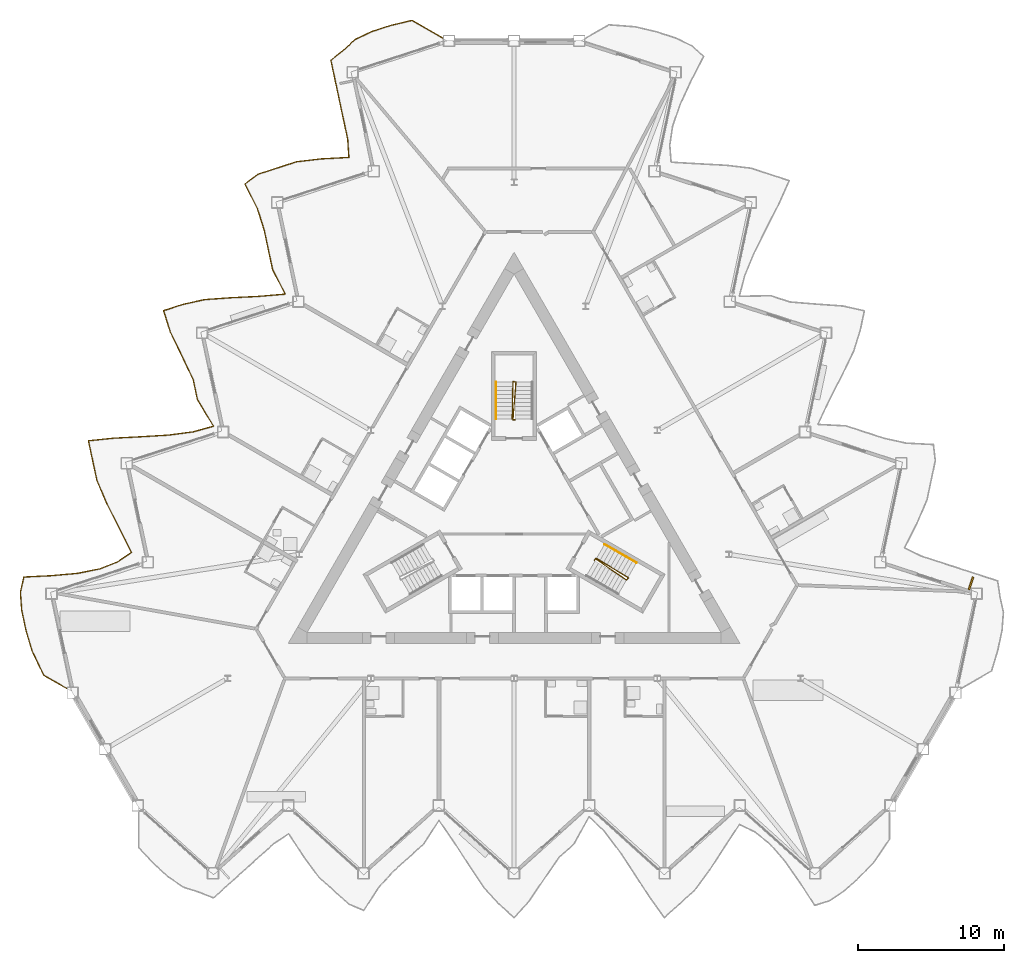
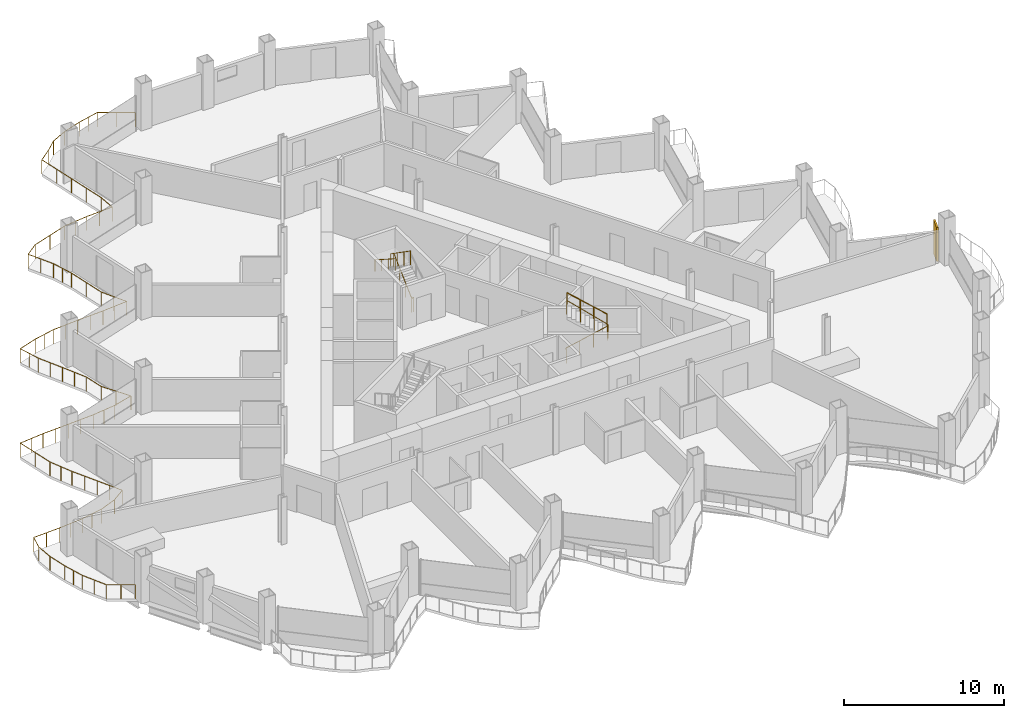
# One storey, part 20 of 23: 5 railings, 1 shading device.
"""IFC4 building model written with IfcOpenShell, lengths in metres."""

from ifc_helpers import new_model, si_unit, direction, frame, origin, origin_2d, place, context, subcontext, project, spatial, rectangle, circle, extrude, material, layer, layer_set, type_object, element, save


model = new_model("IFC4")

# Units and contexts
model_context = context("Model", 3, precision=1e-05, world=origin(), true_north=direction((0.0, 1.0)))
body_context = subcontext(model_context, "Body", "Model", "MODEL_VIEW")
ifc_project = project(units=[si_unit("LENGTHUNIT", "METRE"), si_unit("AREAUNIT", "SQUARE_METRE"), si_unit("VOLUMEUNIT", "CUBIC_METRE"), si_unit("PLANEANGLEUNIT", "RADIAN"), si_unit("MASSUNIT", "GRAM", prefix="KILO")], contexts=[model_context])

# Site, building, storey
site_placement = place(None, origin())
site = spatial("IfcSite", under=ifc_project, at=site_placement, CompositionType="ELEMENT")
building_placement = place(site_placement, origin())
building = spatial("IfcBuilding", under=site, at=building_placement, Name="Cormorant Prow Tower", CompositionType="ELEMENT")
storey_placement = place(building_placement, frame((0.0, 0.0, 208.800048828125)))
storey = spatial("IfcBuildingStorey", under=building, at=storey_placement, Name="L46", CompositionType="ELEMENT", Elevation=208.800048828125)

# Railings
ifc_material_1 = material(Name="Aluminium 6063-T6", Category="aluminium")
railing_type_1 = type_object("IfcRailingType", Name="Balcony guard 1100", PredefinedType="GUARDRAIL", material=ifc_material_1)
railing_1_placement = place(storey_placement, frame((-4.920654296875, 32.60693359375, 0.0)))
element("IfcRailing", 1, at=railing_1_placement, inside=storey, type_object=railing_type_1, Name="Balcony guard WNW", PredefinedType="GUARDRAIL", context=body_context, shape_type="SweptSolid", body=[
    extrude(circle(Radius=0.02392578125, at=origin_2d()), frame((0.0, 0.0, 1.076171875), z_axis=(-0.866028295127, 0.499994992015, 0.0), x_axis=(-0.499994992015, -0.866028295127, 0.0)), (0.0, 0.0, 1.0), 2.40380859375),
    extrude(circle(Radius=0.02392578125, at=origin_2d()), frame((-2.081787109375, 1.201904296875, 1.076171875), z_axis=(-0.973212361163, -0.22990802526, 0.0), x_axis=(0.22990802526, -0.973212361163, 0.0)), (0.0, 0.0, 1.0), 1.503662109375),
    extrude(circle(Radius=0.02392578125, at=origin_2d()), frame((-3.545166015625, 0.856201171875, 1.076171875), z_axis=(-0.951066390921, -0.30898660175, 0.0), x_axis=(0.30898660175, -0.951066390921, 0.0)), (0.0, 0.0, 1.0), 1.387451171875),
    extrude(circle(Radius=0.02392578125, at=origin_2d()), frame((-4.86474609375, 0.427490234375, 1.076171875), z_axis=(-0.901278850403, -0.433239464749, 0.0), x_axis=(0.433239464749, -0.901278850403, 0.0)), (0.0, 0.0, 1.0), 1.248779296875),
    extrude(circle(Radius=0.02392578125, at=origin_2d()), frame((-5.990234375, -0.113525390625, 1.076171875), z_axis=(-0.735764349917, -0.677237640265, 0.0), x_axis=(0.677237640265, -0.735764349917, 0.0)), (0.0, 0.0, 1.0), 1.080322265625),
    extrude(circle(Radius=0.02392578125, at=origin_2d()), frame((-6.78515625, -0.84521484375, 1.076171875), z_axis=(-0.78395206993, -0.620821352767, 0.0), x_axis=(0.620821352767, -0.78395206993, 0.0)), (0.0, 0.0, 1.0), 1.10888671875),
    extrude(circle(Radius=0.02392578125, at=origin_2d()), frame((-7.654541015625, -1.53369140625, 1.076171875), z_axis=(0.20797870558, -0.978133353907, 0.0), x_axis=(0.978133353907, 0.20797870558, 0.0)), (0.0, 0.0, 1.0), 1.387451171875),
    extrude(circle(Radius=0.02392578125, at=origin_2d()), frame((-7.365966796875, -2.890869140625, 1.076171875), z_axis=(0.207810352384, -0.978169135396, 0.0), x_axis=(0.978169135396, 0.207810352384, 0.0)), (0.0, 0.0, 1.0), 1.387451171875),
    extrude(circle(Radius=0.02392578125, at=origin_2d()), frame((-7.07763671875, -4.248046875, 1.076171875), z_axis=(0.20797870558, -0.978133353907, 0.0), x_axis=(0.978133353907, 0.20797870558, 0.0)), (0.0, 0.0, 1.0), 1.387451171875),
    extrude(circle(Radius=0.02392578125, at=origin_2d()), frame((-6.7890625, -5.605224609375, 1.076171875), z_axis=(0.207774590091, -0.978176732351, 0.0), x_axis=(0.978176732351, 0.207774590091, 0.0)), (0.0, 0.0, 1.0), 1.3876953125),
    extrude(circle(Radius=0.02392578125, at=origin_2d()), frame((-6.500732421875, -6.962646484375, 1.076171875), z_axis=(0.065931182992, -0.997824172442, 0.0), x_axis=(0.997824172442, 0.065931182992, 0.0)), (0.0, 0.0, 1.0), 1.240478515625),
    extrude(circle(Radius=0.02392578125, at=origin_2d()), frame((-6.4189453125, -8.200439453125, 1.076171875), z_axis=(-0.998583367735, -0.053209563827, 0.0), x_axis=(0.053209563827, -0.998583367735, 0.0)), (0.0, 0.0, 1.0), 1.890380859375),
    extrude(circle(Radius=0.02392578125, at=origin_2d()), frame((-8.306640625, -8.301025390625, 1.076171875), z_axis=(-0.99316508234, -0.116718118651, 0.0), x_axis=(0.116718118651, -0.99316508234, 0.0)), (0.0, 0.0, 1.0), 1.7255859375),
    extrude(circle(Radius=0.02392578125, at=origin_2d()), frame((-10.0205078125, -8.50244140625, 1.076171875), z_axis=(-0.951066390921, -0.30898660175, 0.0), x_axis=(0.30898660175, -0.951066390921, 0.0)), (0.0, 0.0, 1.0), 1.387451171875),
    extrude(circle(Radius=0.02392578125, at=origin_2d()), frame((-11.340087890625, -8.93115234375, 1.076171875), z_axis=(-0.951066390921, -0.30898660175, 0.0), x_axis=(0.30898660175, -0.951066390921, 0.0)), (0.0, 0.0, 1.0), 1.387451171875),
    extrude(circle(Radius=0.02392578125, at=origin_2d()), frame((-12.65966796875, -9.35986328125, 1.076171875), z_axis=(-0.799947741262, -0.600069671997, 0.0), x_axis=(0.600069671997, -0.799947741262, 0.0)), (0.0, 0.0, 1.0), 1.121337890625),
    extrude(circle(Radius=0.02392578125, at=origin_2d()), frame((-13.556640625, -10.03271484375, 1.076171875), z_axis=(0.454161365622, -0.890919443034, 0.0), x_axis=(0.890919443034, 0.454161365622, 0.0)), (0.0, 0.0, 1.0), 1.893798828125),
    extrude(circle(Radius=0.02392578125, at=origin_2d()), frame((-12.696533203125, -11.719970703125, 1.076171875), z_axis=(0.302887469751, -0.953026327374, 0.0), x_axis=(0.953026327374, 0.302887469751, 0.0)), (0.0, 0.0, 1.0), 1.52978515625),
    extrude(circle(Radius=0.02392578125, at=origin_2d()), frame((-12.233154296875, -13.177978515625, 1.076171875), z_axis=(0.207810352384, -0.978169135396, 0.0), x_axis=(0.978169135396, 0.207810352384, 0.0)), (0.0, 0.0, 1.0), 1.387451171875),
    extrude(circle(Radius=0.02392578125, at=origin_2d()), frame((-11.94482421875, -14.53515625, 1.076171875), z_axis=(0.20797870558, -0.978133353907, 0.0), x_axis=(0.978133353907, 0.20797870558, 0.0)), (0.0, 0.0, 1.0), 1.387451171875),
    extrude(circle(Radius=0.02392578125, at=origin_2d()), frame((-11.65625, -15.892333984375, 1.076171875), z_axis=(0.455679598883, -0.890143866553, 0.0), x_axis=(0.890143866553, 0.455679598883, 0.0)), (0.0, 0.0, 1.0), 1.898681640625),
    extrude(circle(Radius=0.02392578125, at=origin_2d()), frame((-10.791015625, -17.58251953125, 1.076171875), z_axis=(-0.996378508265, -0.085028632041, 0.0), x_axis=(0.085028632041, -0.996378508265, 0.0)), (0.0, 0.0, 1.0), 1.80322265625),
    extrude(circle(Radius=0.02392578125, at=origin_2d()), frame((-12.587646484375, -17.73583984375, 1.076171875), z_axis=(-0.998798607973, -0.049003476528, 0.0), x_axis=(0.049003476528, -0.998798607973, 0.0)), (0.0, 0.0, 1.0), 1.903076171875),
    extrude(circle(Radius=0.02392578125, at=origin_2d()), frame((-14.488525390625, -17.8291015625, 1.076171875), z_axis=(-0.997499591032, -0.070672242725, 0.0), x_axis=(0.070672242725, -0.997499591032, 0.0)), (0.0, 0.0, 1.0), 1.84130859375),
    extrude(circle(Radius=0.02392578125, at=origin_2d()), frame((-16.3251953125, -17.959228515625, 1.076171875), z_axis=(-0.976303584694, -0.21640543088, 0.0), x_axis=(0.21640543088, -0.976303584694, 0.0)), (0.0, 0.0, 1.0), 1.5263671875),
    extrude(circle(Radius=0.02392578125, at=origin_2d()), frame((-17.8154296875, -18.28955078125, 1.076171875), z_axis=(-0.951014671478, -0.309145749822, 0.0), x_axis=(0.309145749822, -0.951014671478, 0.0)), (0.0, 0.0, 1.0), 1.387451171875),
    extrude(circle(Radius=0.02392578125, at=origin_2d()), frame((-19.135009765625, -18.718505859375, 1.076171875), z_axis=(0.298959471518, -0.954265809086, 0.0), x_axis=(0.954265809086, 0.298959471518, 0.0)), (0.0, 0.0, 1.0), 1.52294921875),
    extrude(circle(Radius=0.02392578125, at=origin_2d()), frame((-18.6796875, -20.171875, 1.076171875), z_axis=(0.437155444794, -0.899385966694, 0.0), x_axis=(0.899385966694, 0.437155444794, 0.0)), (0.0, 0.0, 1.0), 1.840087890625),
    extrude(circle(Radius=0.02392578125, at=origin_2d()), frame((-17.875244140625, -21.826904296875, 1.076171875), z_axis=(0.427599829351, -0.903968133254, 0.0), x_axis=(0.903968133254, 0.427599829351, 0.0)), (0.0, 0.0, 1.0), 1.812255859375),
    extrude(circle(Radius=0.02392578125, at=origin_2d()), frame((-17.100341796875, -23.465087890625, 1.076171875), z_axis=(0.207810352384, -0.978169135396, 0.0), x_axis=(0.978169135396, 0.207810352384, 0.0)), (0.0, 0.0, 1.0), 1.387451171875),
    extrude(circle(Radius=0.02392578125, at=origin_2d()), frame((-16.81201171875, -24.822265625, 1.076171875), z_axis=(0.515994404048, -0.856591953611, 0.0), x_axis=(0.856591953611, 0.515994404048, 0.0)), (0.0, 0.0, 1.0), 2.131103515625),
    extrude(circle(Radius=0.02392578125, at=origin_2d()), frame((-15.71240234375, -26.647705078125, 1.076171875), z_axis=(-0.963525170762, -0.267617722337, 0.0), x_axis=(0.267617722337, -0.963525170762, 0.0)), (0.0, 0.0, 1.0), 1.445068359375),
    extrude(circle(Radius=0.02392578125, at=origin_2d()), frame((-17.104736328125, -27.034423828125, 1.076171875), z_axis=(-0.99157148813, -0.129560734512, 0.0), x_axis=(0.129560734512, -0.99157148813, 0.0)), (0.0, 0.0, 1.0), 1.696044921875),
    extrude(circle(Radius=0.02392578125, at=origin_2d()), frame((-18.786376953125, -27.254150390625, 1.076171875), z_axis=(-0.998153888564, -0.060735613476, 0.0), x_axis=(0.060735613476, -0.998153888564, 0.0)), (0.0, 0.0, 1.0), 1.869140625),
    extrude(circle(Radius=0.02392578125, at=origin_2d()), frame((-20.652099609375, -27.36767578125, 1.076171875), z_axis=(-0.998650388132, -0.05193652167, 0.0), x_axis=(0.05193652167, -0.998650388132, 0.0)), (0.0, 0.0, 1.0), 1.894287109375),
    extrude(circle(Radius=0.02392578125, at=origin_2d()), frame((-22.5439453125, -27.466064453125, 1.076171875), z_axis=(-0.994607061007, -0.103714966104, 0.0), x_axis=(0.103714966104, -0.994607061007, 0.0)), (0.0, 0.0, 1.0), 1.756103515625),
    extrude(circle(Radius=0.02392578125, at=origin_2d()), frame((-24.29052734375, -27.648193359375, 1.076171875), z_axis=(0.207810352384, -0.978169135396, 0.0), x_axis=(0.978169135396, 0.207810352384, 0.0)), (0.0, 0.0, 1.0), 1.387451171875),
    extrude(circle(Radius=0.02392578125, at=origin_2d()), frame((-24.002197265625, -29.00537109375, 1.076171875), z_axis=(0.20797870558, -0.978133353907, 0.0), x_axis=(0.978133353907, 0.20797870558, 0.0)), (0.0, 0.0, 1.0), 1.387451171875),
    extrude(circle(Radius=0.02392578125, at=origin_2d()), frame((-23.713623046875, -30.362548828125, 1.076171875), z_axis=(0.394090441946, -0.919071663999, 0.0), x_axis=(0.919071663999, 0.394090441946, 0.0)), (0.0, 0.0, 1.0), 1.7216796875),
    extrude(circle(Radius=0.02392578125, at=origin_2d()), frame((-23.03515625, -31.94482421875, 1.076171875), z_axis=(0.452888275113, -0.891567277476, 0.0), x_axis=(0.891567277476, 0.452888275113, 0.0)), (0.0, 0.0, 1.0), 1.889892578125),
    extrude(circle(Radius=0.02392578125, at=origin_2d()), frame((-22.17919921875, -33.6298828125, 1.076171875), z_axis=(0.448774320801, -0.89364512475, 0.0), x_axis=(0.89364512475, 0.448774320801, 0.0)), (0.0, 0.0, 1.0), 1.876220703125),
    extrude(circle(Radius=0.02392578125, at=origin_2d()), frame((-21.337158203125, -35.306640625, 1.076171875), z_axis=(-0.82356752701, -0.567218237061, 0.0), x_axis=(0.567218237061, -0.82356752701, 0.0)), (0.0, 0.0, 1.0), 1.141845703125),
    extrude(circle(Radius=0.02392578125, at=origin_2d()), frame((-22.277587890625, -35.954345703125, 1.076171875), z_axis=(-0.930003475376, -0.367550725463, 0.0), x_axis=(0.367550725463, -0.930003475376, 0.0)), (0.0, 0.0, 1.0), 1.31640625),
    extrude(circle(Radius=0.02392578125, at=origin_2d()), frame((-23.501953125, -36.438232421875, 1.076171875), z_axis=(-0.981004194087, -0.193986523199, 0.0), x_axis=(0.193986523199, -0.981004194087, 0.0)), (0.0, 0.0, 1.0), 1.565673828125),
    extrude(circle(Radius=0.02392578125, at=origin_2d()), frame((-25.037841796875, -36.741943359375, 1.076171875), z_axis=(-0.996011807592, -0.089221517228, 0.0), x_axis=(0.089221517228, -0.996011807592, 0.0)), (0.0, 0.0, 1.0), 1.792236328125),
    extrude(circle(Radius=0.02392578125, at=origin_2d()), frame((-26.822998046875, -36.90185546875, 1.076171875), z_axis=(-0.998771473491, -0.049553443286, 0.0), x_axis=(0.049553443286, -0.998771473491, 0.0)), (0.0, 0.0, 1.0), 1.90185546875),
    extrude(circle(Radius=0.02392578125, at=origin_2d()), frame((-28.722412109375, -36.99609375, 1.076171875), z_axis=(-0.219754277814, -0.975555255935, 0.0), x_axis=(0.975555255935, -0.219754277814, 0.0)), (0.0, 0.0, 1.0), 1.079833984375),
    extrude(circle(Radius=0.02392578125, at=origin_2d()), frame((-28.959716796875, -38.049560546875, 1.076171875), z_axis=(0.072680965333, -0.997355241265, 0.0), x_axis=(0.997355241265, 0.072680965333, 0.0)), (0.0, 0.0, 1.0), 1.246337890625),
    extrude(circle(Radius=0.02392578125, at=origin_2d()), frame((-28.869140625, -39.29248046875, 1.076171875), z_axis=(0.207810352384, -0.978169135396, 0.0), x_axis=(0.978169135396, 0.207810352384, 0.0)), (0.0, 0.0, 1.0), 1.387451171875),
    extrude(circle(Radius=0.02392578125, at=origin_2d()), frame((-28.580810546875, -40.649658203125, 1.076171875), z_axis=(0.285810363101, -0.958286197513, 0.0), x_axis=(0.958286197513, 0.285810363101, 0.0)), (0.0, 0.0, 1.0), 1.500732421875),
    extrude(circle(Radius=0.02392578125, at=origin_2d()), frame((-28.15185546875, -42.087890625, 1.076171875), z_axis=(0.434044135852, -0.900891607316, 0.0), x_axis=(0.900891607316, 0.434044135852, 0.0)), (0.0, 0.0, 1.0), 1.830810546875),
    extrude(circle(Radius=0.02392578125, at=origin_2d()), frame((-27.357177734375, -43.7373046875, 1.076171875), z_axis=(0.866042886279, -0.499969718208, 0.0), x_axis=(0.499969718208, 0.866042886279, 0.0)), (0.0, 0.0, 1.0), 1.8232421875),
    extrude(circle(Radius=0.02099609375, at=origin_2d()), origin(), (0.0, 0.0, 1.0), 1.052001953125),
    extrude(circle(Radius=0.02099609375, at=origin_2d()), frame((-1.041015625, 0.60107421875, 0.0)), (0.0, 0.0, 1.0), 1.052001953125),
    extrude(circle(Radius=0.02099609375, at=origin_2d()), frame((-2.081787109375, 1.201904296875, 0.0)), (0.0, 0.0, 1.0), 1.052001953125),
    extrude(circle(Radius=0.02099609375, at=origin_2d()), frame((-2.8134765625, 1.029052734375, 0.0)), (0.0, 0.0, 1.0), 1.052001953125),
    extrude(circle(Radius=0.02099609375, at=origin_2d()), frame((-3.545166015625, 0.856201171875, 0.0)), (0.0, 0.0, 1.0), 1.052001953125),
    extrude(circle(Radius=0.02099609375, at=origin_2d()), frame((-4.86474609375, 0.427490234375, 0.0)), (0.0, 0.0, 1.0), 1.052001953125),
    extrude(circle(Radius=0.02099609375, at=origin_2d()), frame((-5.990234375, -0.113525390625, 0.0)), (0.0, 0.0, 1.0), 1.052001953125),
    extrude(circle(Radius=0.02099609375, at=origin_2d()), frame((-6.78515625, -0.84521484375, 0.0)), (0.0, 0.0, 1.0), 1.052001953125),
    extrude(circle(Radius=0.02099609375, at=origin_2d()), frame((-7.654541015625, -1.53369140625, 0.0)), (0.0, 0.0, 1.0), 1.052001953125),
    extrude(circle(Radius=0.02099609375, at=origin_2d()), frame((-7.365966796875, -2.890869140625, 0.0)), (0.0, 0.0, 1.0), 1.052001953125),
    extrude(circle(Radius=0.02099609375, at=origin_2d()), frame((-7.07763671875, -4.248046875, 0.0)), (0.0, 0.0, 1.0), 1.052001953125),
    extrude(circle(Radius=0.02099609375, at=origin_2d()), frame((-6.7890625, -5.605224609375, 0.0)), (0.0, 0.0, 1.0), 1.052001953125),
    extrude(circle(Radius=0.02099609375, at=origin_2d()), frame((-6.500732421875, -6.962646484375, 0.0)), (0.0, 0.0, 1.0), 1.052001953125),
    extrude(circle(Radius=0.02099609375, at=origin_2d()), frame((-6.4189453125, -8.200439453125, 0.0)), (0.0, 0.0, 1.0), 1.052001953125),
    extrude(circle(Radius=0.02099609375, at=origin_2d()), frame((-7.36279296875, -8.250732421875, 0.0)), (0.0, 0.0, 1.0), 1.052001953125),
    extrude(circle(Radius=0.02099609375, at=origin_2d()), frame((-8.306640625, -8.301025390625, 0.0)), (0.0, 0.0, 1.0), 1.052001953125),
    extrude(circle(Radius=0.02099609375, at=origin_2d()), frame((-9.16357421875, -8.40185546875, 0.0)), (0.0, 0.0, 1.0), 1.052001953125),
    extrude(circle(Radius=0.02099609375, at=origin_2d()), frame((-10.0205078125, -8.50244140625, 0.0)), (0.0, 0.0, 1.0), 1.052001953125),
    extrude(circle(Radius=0.02099609375, at=origin_2d()), frame((-11.340087890625, -8.93115234375, 0.0)), (0.0, 0.0, 1.0), 1.052001953125),
    extrude(circle(Radius=0.02099609375, at=origin_2d()), frame((-12.65966796875, -9.35986328125, 0.0)), (0.0, 0.0, 1.0), 1.052001953125),
    extrude(circle(Radius=0.02099609375, at=origin_2d()), frame((-13.556640625, -10.03271484375, 0.0)), (0.0, 0.0, 1.0), 1.052001953125),
    extrude(circle(Radius=0.02099609375, at=origin_2d()), frame((-13.12646484375, -10.87646484375, 0.0)), (0.0, 0.0, 1.0), 1.052001953125),
    extrude(circle(Radius=0.02099609375, at=origin_2d()), frame((-12.696533203125, -11.719970703125, 0.0)), (0.0, 0.0, 1.0), 1.052001953125),
    extrude(circle(Radius=0.02099609375, at=origin_2d()), frame((-12.46484375, -12.448974609375, 0.0)), (0.0, 0.0, 1.0), 1.052001953125),
    extrude(circle(Radius=0.02099609375, at=origin_2d()), frame((-12.233154296875, -13.177978515625, 0.0)), (0.0, 0.0, 1.0), 1.052001953125),
    extrude(circle(Radius=0.02099609375, at=origin_2d()), frame((-11.94482421875, -14.53515625, 0.0)), (0.0, 0.0, 1.0), 1.052001953125),
    extrude(circle(Radius=0.02099609375, at=origin_2d()), frame((-11.65625, -15.892333984375, 0.0)), (0.0, 0.0, 1.0), 1.052001953125),
    extrude(circle(Radius=0.02099609375, at=origin_2d()), frame((-11.2236328125, -16.7373046875, 0.0)), (0.0, 0.0, 1.0), 1.052001953125),
    extrude(circle(Radius=0.02099609375, at=origin_2d()), frame((-10.791015625, -17.58251953125, 0.0)), (0.0, 0.0, 1.0), 1.052001953125),
    extrude(circle(Radius=0.02099609375, at=origin_2d()), frame((-11.689453125, -17.6591796875, 0.0)), (0.0, 0.0, 1.0), 1.052001953125),
    extrude(circle(Radius=0.02099609375, at=origin_2d()), frame((-12.587646484375, -17.73583984375, 0.0)), (0.0, 0.0, 1.0), 1.052001953125),
    extrude(circle(Radius=0.02099609375, at=origin_2d()), frame((-13.5380859375, -17.782470703125, 0.0)), (0.0, 0.0, 1.0), 1.052001953125),
    extrude(circle(Radius=0.02099609375, at=origin_2d()), frame((-14.488525390625, -17.8291015625, 0.0)), (0.0, 0.0, 1.0), 1.052001953125),
    extrude(circle(Radius=0.02099609375, at=origin_2d()), frame((-15.40673828125, -17.89404296875, 0.0)), (0.0, 0.0, 1.0), 1.052001953125),
    extrude(circle(Radius=0.02099609375, at=origin_2d()), frame((-16.3251953125, -17.959228515625, 0.0)), (0.0, 0.0, 1.0), 1.052001953125),
    extrude(circle(Radius=0.02099609375, at=origin_2d()), frame((-17.0703125, -18.12451171875, 0.0)), (0.0, 0.0, 1.0), 1.052001953125),
    extrude(circle(Radius=0.02099609375, at=origin_2d()), frame((-17.8154296875, -18.28955078125, 0.0)), (0.0, 0.0, 1.0), 1.052001953125),
    extrude(circle(Radius=0.02099609375, at=origin_2d()), frame((-19.135009765625, -18.718505859375, 0.0)), (0.0, 0.0, 1.0), 1.052001953125),
    extrude(circle(Radius=0.02099609375, at=origin_2d()), frame((-18.9072265625, -19.4453125, 0.0)), (0.0, 0.0, 1.0), 1.052001953125),
    extrude(circle(Radius=0.02099609375, at=origin_2d()), frame((-18.6796875, -20.171875, 0.0)), (0.0, 0.0, 1.0), 1.052001953125),
    extrude(circle(Radius=0.02099609375, at=origin_2d()), frame((-18.27734375, -20.99951171875, 0.0)), (0.0, 0.0, 1.0), 1.052001953125),
    extrude(circle(Radius=0.02099609375, at=origin_2d()), frame((-17.875244140625, -21.826904296875, 0.0)), (0.0, 0.0, 1.0), 1.052001953125),
    extrude(circle(Radius=0.02099609375, at=origin_2d()), frame((-17.48779296875, -22.64599609375, 0.0)), (0.0, 0.0, 1.0), 1.052001953125),
    extrude(circle(Radius=0.02099609375, at=origin_2d()), frame((-17.100341796875, -23.465087890625, 0.0)), (0.0, 0.0, 1.0), 1.052001953125),
    extrude(circle(Radius=0.02099609375, at=origin_2d()), frame((-16.81201171875, -24.822265625, 0.0)), (0.0, 0.0, 1.0), 1.052001953125),
    extrude(circle(Radius=0.02099609375, at=origin_2d()), frame((-16.26220703125, -25.73486328125, 0.0)), (0.0, 0.0, 1.0), 1.052001953125),
    extrude(circle(Radius=0.02099609375, at=origin_2d()), frame((-15.71240234375, -26.647705078125, 0.0)), (0.0, 0.0, 1.0), 1.052001953125),
    extrude(circle(Radius=0.02099609375, at=origin_2d()), frame((-17.104736328125, -27.034423828125, 0.0)), (0.0, 0.0, 1.0), 1.052001953125),
    extrude(circle(Radius=0.02099609375, at=origin_2d()), frame((-17.945556640625, -27.144287109375, 0.0)), (0.0, 0.0, 1.0), 1.052001953125),
    extrude(circle(Radius=0.02099609375, at=origin_2d()), frame((-18.786376953125, -27.254150390625, 0.0)), (0.0, 0.0, 1.0), 1.052001953125),
    extrude(circle(Radius=0.02099609375, at=origin_2d()), frame((-19.71923828125, -27.31103515625, 0.0)), (0.0, 0.0, 1.0), 1.052001953125),
    extrude(circle(Radius=0.02099609375, at=origin_2d()), frame((-20.652099609375, -27.36767578125, 0.0)), (0.0, 0.0, 1.0), 1.052001953125),
    extrude(circle(Radius=0.02099609375, at=origin_2d()), frame((-21.59814453125, -27.4169921875, 0.0)), (0.0, 0.0, 1.0), 1.052001953125),
    extrude(circle(Radius=0.02099609375, at=origin_2d()), frame((-22.5439453125, -27.466064453125, 0.0)), (0.0, 0.0, 1.0), 1.052001953125),
    extrude(circle(Radius=0.02099609375, at=origin_2d()), frame((-23.417236328125, -27.55712890625, 0.0)), (0.0, 0.0, 1.0), 1.052001953125),
    extrude(circle(Radius=0.02099609375, at=origin_2d()), frame((-24.29052734375, -27.648193359375, 0.0)), (0.0, 0.0, 1.0), 1.052001953125),
    extrude(circle(Radius=0.02099609375, at=origin_2d()), frame((-24.002197265625, -29.00537109375, 0.0)), (0.0, 0.0, 1.0), 1.052001953125),
    extrude(circle(Radius=0.02099609375, at=origin_2d()), frame((-23.713623046875, -30.362548828125, 0.0)), (0.0, 0.0, 1.0), 1.052001953125),
    extrude(circle(Radius=0.02099609375, at=origin_2d()), frame((-23.37451171875, -31.15380859375, 0.0)), (0.0, 0.0, 1.0), 1.052001953125),
    extrude(circle(Radius=0.02099609375, at=origin_2d()), frame((-23.03515625, -31.94482421875, 0.0)), (0.0, 0.0, 1.0), 1.052001953125),
    extrude(circle(Radius=0.02099609375, at=origin_2d()), frame((-22.607177734375, -32.787353515625, 0.0)), (0.0, 0.0, 1.0), 1.052001953125),
    extrude(circle(Radius=0.02099609375, at=origin_2d()), frame((-22.17919921875, -33.6298828125, 0.0)), (0.0, 0.0, 1.0), 1.052001953125),
    extrude(circle(Radius=0.02099609375, at=origin_2d()), frame((-21.75830078125, -34.46826171875, 0.0)), (0.0, 0.0, 1.0), 1.052001953125),
    extrude(circle(Radius=0.02099609375, at=origin_2d()), frame((-21.337158203125, -35.306640625, 0.0)), (0.0, 0.0, 1.0), 1.052001953125),
    extrude(circle(Radius=0.02099609375, at=origin_2d()), frame((-22.277587890625, -35.954345703125, 0.0)), (0.0, 0.0, 1.0), 1.052001953125),
    extrude(circle(Radius=0.02099609375, at=origin_2d()), frame((-23.501953125, -36.438232421875, 0.0)), (0.0, 0.0, 1.0), 1.052001953125),
    extrude(circle(Radius=0.02099609375, at=origin_2d()), frame((-24.27001953125, -36.590087890625, 0.0)), (0.0, 0.0, 1.0), 1.052001953125),
    extrude(circle(Radius=0.02099609375, at=origin_2d()), frame((-25.037841796875, -36.741943359375, 0.0)), (0.0, 0.0, 1.0), 1.052001953125),
    extrude(circle(Radius=0.02099609375, at=origin_2d()), frame((-25.930419921875, -36.82177734375, 0.0)), (0.0, 0.0, 1.0), 1.052001953125),
    extrude(circle(Radius=0.02099609375, at=origin_2d()), frame((-26.822998046875, -36.90185546875, 0.0)), (0.0, 0.0, 1.0), 1.052001953125),
    extrude(circle(Radius=0.02099609375, at=origin_2d()), frame((-27.772705078125, -36.948974609375, 0.0)), (0.0, 0.0, 1.0), 1.052001953125),
    extrude(circle(Radius=0.02099609375, at=origin_2d()), frame((-28.722412109375, -36.99609375, 0.0)), (0.0, 0.0, 1.0), 1.052001953125),
    extrude(circle(Radius=0.02099609375, at=origin_2d()), frame((-28.959716796875, -38.049560546875, 0.0)), (0.0, 0.0, 1.0), 1.052001953125),
    extrude(circle(Radius=0.02099609375, at=origin_2d()), frame((-28.869140625, -39.29248046875, 0.0)), (0.0, 0.0, 1.0), 1.052001953125),
    extrude(circle(Radius=0.02099609375, at=origin_2d()), frame((-28.580810546875, -40.649658203125, 0.0)), (0.0, 0.0, 1.0), 1.052001953125),
    extrude(circle(Radius=0.02099609375, at=origin_2d()), frame((-28.3662109375, -41.36865234375, 0.0)), (0.0, 0.0, 1.0), 1.052001953125),
    extrude(circle(Radius=0.02099609375, at=origin_2d()), frame((-28.15185546875, -42.087890625, 0.0)), (0.0, 0.0, 1.0), 1.052001953125),
    extrude(circle(Radius=0.02099609375, at=origin_2d()), frame((-27.75439453125, -42.91259765625, 0.0)), (0.0, 0.0, 1.0), 1.052001953125),
    extrude(circle(Radius=0.02099609375, at=origin_2d()), frame((-27.357177734375, -43.7373046875, 0.0)), (0.0, 0.0, 1.0), 1.052001953125),
    extrude(circle(Radius=0.02099609375, at=origin_2d()), frame((-26.567626953125, -44.193115234375, 0.0)), (0.0, 0.0, 1.0), 1.052001953125),
    extrude(circle(Radius=0.02099609375, at=origin_2d()), frame((-25.778076171875, -44.64892578125, 0.0)), (0.0, 0.0, 1.0), 1.052001953125),
])
ifc_material_2 = material(Name="Stainless steel", Category="steel")
railing_type_2 = type_object("IfcRailingType", Name="Stair guard 1100", PredefinedType="GUARDRAIL", material=ifc_material_2)
railing_2_placement = place(storey_placement, frame((5.510009765625, -3.267822265625, 0.0)))
element("IfcRailing", 2, at=railing_2_placement, inside=storey, type_object=railing_type_2, Name="L46 ST2 stair guard 1", PredefinedType="GUARDRAIL", context=body_context, shape_type="SweptSolid", body=[
    extrude(circle(Radius=0.02392578125, at=origin_2d()), frame((0.0, 0.0, 1.076171875), z_axis=(0.501036270542, 0.865426285481, 0.0), x_axis=(-0.865426285481, 0.501036270542, 0.0)), (0.0, 0.0, 1.0), 0.150146484375),
    extrude(circle(Radius=0.02392578125, at=origin_2d()), frame((0.0751953125, 0.1298828125, 1.076171875), z_axis=(0.676058237057, -0.463829066155, 0.572545070276), x_axis=(0.565732651216, 0.824588726183, 0.0)), (0.0, 0.0, 1.0), 3.14404296875),
    extrude(circle(Radius=0.02392578125, at=origin_2d()), frame((2.20068359375, -1.328369140625, 2.8759765625), z_axis=(0.695164929852, 0.718850276695, 0.0), x_axis=(-0.718850276695, 0.695164929852, 0.0)), (0.0, 0.0, 1.0), 0.2060546875),
    extrude(circle(Radius=0.02392578125, at=origin_2d()), frame((2.343994140625, -1.18017578125, 2.8759765625), z_axis=(-0.701307540925, 0.423320870887, 0.573556599922), x_axis=(-0.516770599887, -0.856123908726, 0.0)), (0.0, 0.0, 1.0), 3.137939453125),
    extrude(circle(Radius=0.02099609375, at=origin_2d()), origin(), (0.0, 0.0, 1.0), 1.052001953125),
    extrude(circle(Radius=0.02099609375, at=origin_2d()), frame((0.0751953125, 0.1298828125, 0.0)), (0.0, 0.0, 1.0), 1.052001953125),
    extrude(circle(Radius=0.02099609375, at=origin_2d()), frame((0.78369140625, -0.356201171875, 0.60009765625)), (0.0, 0.0, 1.0), 1.052001953125),
    extrude(circle(Radius=0.02099609375, at=origin_2d()), frame((1.4921875, -0.84228515625, 1.199951171875)), (0.0, 0.0, 1.0), 1.052001953125),
    extrude(circle(Radius=0.02099609375, at=origin_2d()), frame((2.20068359375, -1.328369140625, 1.800048828125)), (0.0, 0.0, 1.0), 1.052001953125),
    extrude(circle(Radius=0.02099609375, at=origin_2d()), frame((2.343994140625, -1.18017578125, 1.800048828125)), (0.0, 0.0, 1.0), 1.052001953125),
    extrude(circle(Radius=0.02099609375, at=origin_2d()), frame((1.6103515625, -0.7373046875, 2.39990234375)), (0.0, 0.0, 1.0), 1.052001953125),
    extrude(circle(Radius=0.02099609375, at=origin_2d()), frame((0.876953125, -0.294677734375, 3.0)), (0.0, 0.0, 1.0), 1.052001953125),
    extrude(circle(Radius=0.02099609375, at=origin_2d()), frame((0.143310546875, 0.148193359375, 3.599853515625)), (0.0, 0.0, 1.0), 1.052001953125),
])
railing_3_placement = place(storey_placement, frame((0.074951171875, 6.40576171875, 0.0)))
element("IfcRailing", 3, at=railing_3_placement, inside=storey, type_object=railing_type_2, Name="L46 ST3 stair guard 1", PredefinedType="GUARDRAIL", context=body_context, shape_type="SweptSolid", body=[
    extrude(circle(Radius=0.02392578125, at=origin_2d()), frame((0.0, 0.0, 1.076171875), z_axis=(-1.0, 0.0, 0.0), x_axis=(0.0, -1.0, 0.0)), (0.0, 0.0, 1.0), 0.14990234375),
    extrude(circle(Radius=0.02392578125, at=origin_2d()), frame((-0.14990234375, 0.0, 1.076171875), z_axis=(0.063595540489, 0.817423998443, 0.572515164864), x_axis=(-0.996987254287, 0.077565551559, 0.0)), (0.0, 0.0, 1.0), 3.14404296875),
    extrude(circle(Radius=0.02392578125, at=origin_2d()), frame((0.050048828125, 2.570068359375, 2.8759765625), z_axis=(-0.970072785993, 0.242814311512, 0.0), x_axis=(-0.242814311512, -0.970072785993, 0.0)), (0.0, 0.0, 1.0), 0.2060546875),
    extrude(circle(Radius=0.02392578125, at=origin_2d()), frame((-0.14990234375, 2.6201171875, 2.8759765625), z_axis=(-0.015949268585, -0.819014392183, 0.573551258589), x_axis=(0.999810440751, -0.019470042781, 0.0)), (0.0, 0.0, 1.0), 3.137939453125),
    extrude(circle(Radius=0.02099609375, at=origin_2d()), origin(), (0.0, 0.0, 1.0), 1.052001953125),
    extrude(circle(Radius=0.02099609375, at=origin_2d()), frame((-0.14990234375, 0.0, 0.0)), (0.0, 0.0, 1.0), 1.052001953125),
    extrude(circle(Radius=0.02099609375, at=origin_2d()), frame((-0.083251953125, 0.856689453125, 0.60009765625)), (0.0, 0.0, 1.0), 1.052001953125),
    extrude(circle(Radius=0.02099609375, at=origin_2d()), frame((-0.0166015625, 1.71337890625, 1.199951171875)), (0.0, 0.0, 1.0), 1.052001953125),
    extrude(circle(Radius=0.02099609375, at=origin_2d()), frame((0.050048828125, 2.570068359375, 1.800048828125)), (0.0, 0.0, 1.0), 1.052001953125),
    extrude(circle(Radius=0.02099609375, at=origin_2d()), frame((-0.14990234375, 2.6201171875, 1.800048828125)), (0.0, 0.0, 1.0), 1.052001953125),
    extrude(circle(Radius=0.02099609375, at=origin_2d()), frame((-0.16650390625, 1.763427734375, 2.39990234375)), (0.0, 0.0, 1.0), 1.052001953125),
    extrude(circle(Radius=0.02099609375, at=origin_2d()), frame((-0.183349609375, 0.90673828125, 3.0)), (0.0, 0.0, 1.0), 1.052001953125),
    extrude(circle(Radius=0.02099609375, at=origin_2d()), frame((-0.199951171875, 0.050048828125, 3.599853515625)), (0.0, 0.0, 1.0), 1.052001953125),
])
ifc_material_3 = material(Name="Stainless steel", Category="steel")
railing_type_3 = type_object("IfcRailingType", Name="Stair handrail 900", PredefinedType="HANDRAIL", material=ifc_material_3)
railing_4_placement = place(storey_placement, frame((8.395263671875, -3.41064453125, 1.97998046875)))
element("IfcRailing", 4, at=railing_4_placement, inside=storey, type_object=railing_type_3, Name="L46 ST2 stair handrail 2", PredefinedType="HANDRAIL", context=body_context, shape_type="SweptSolid", body=[
    extrude(circle(Radius=0.02392578125, at=origin_2d()), frame((0.0, 0.0, 0.8759765625), z_axis=(-0.72849590497, 0.42060268101, 0.54072830624), x_axis=(-0.500004791531, -0.866022637375, 0.0)), (0.0, 0.0, 1.0), 2.99560546875),
    extrude(circle(Radius=0.02099609375, at=origin_2d()), origin(), (0.0, 0.0, 1.0), 0.851806640625),
    extrude(circle(Radius=0.02099609375, at=origin_2d()), frame((-0.7275390625, 0.419921875, 0.5400390625)), (0.0, 0.0, 1.0), 0.851806640625),
    extrude(circle(Radius=0.02099609375, at=origin_2d()), frame((-1.454833984375, 0.840087890625, 1.079833984375)), (0.0, 0.0, 1.0), 0.851806640625),
    extrude(circle(Radius=0.02099609375, at=origin_2d()), frame((-2.182373046875, 1.260009765625, 1.619873046875)), (0.0, 0.0, 1.0), 0.851806640625),
])
railing_5_placement = place(storey_placement, frame((-1.243896484375, 8.975830078125, 1.97998046875)))
element("IfcRailing", 5, at=railing_5_placement, inside=storey, type_object=railing_type_3, Name="L46 ST3 stair handrail 2", PredefinedType="HANDRAIL", context=body_context, shape_type="SweptSolid", body=[
    extrude(circle(Radius=0.02392578125, at=origin_2d()), frame((0.0, 0.0, 0.8759765625), z_axis=(0.0, -0.841199657755, 0.540724639528), x_axis=(1.0, 0.0, 0.0)), (0.0, 0.0, 1.0), 2.995849609375),
    extrude(circle(Radius=0.02099609375, at=origin_2d()), origin(), (0.0, 0.0, 1.0), 0.851806640625),
    extrude(circle(Radius=0.02099609375, at=origin_2d()), frame((0.0, -0.840087890625, 0.5400390625)), (0.0, 0.0, 1.0), 0.851806640625),
    extrude(circle(Radius=0.02099609375, at=origin_2d()), frame((0.0, -1.679931640625, 1.079833984375)), (0.0, 0.0, 1.0), 0.851806640625),
    extrude(circle(Radius=0.02099609375, at=origin_2d()), frame((0.0, -2.52001953125, 1.619873046875)), (0.0, 0.0, 1.0), 0.851806640625),
])

# Shading device
ifc_material_4 = material(Name="Terracotta", Category="masonry")
ifc_layer = layer(ifc_material_4, 0.1201171875)
ifc_layer_set = layer_set([ifc_layer], Name="Terracotta")
shading_device_type = type_object("IfcShadingDeviceType", Name="Terracotta baguette fin 120x900x2600", PredefinedType="USERDEFINED", material=ifc_layer_set)
shading_device_placement = place(storey_placement, frame((31.35400390625, -4.823974609375, 0.0), z_axis=(0.0, 0.0, 1.0), x_axis=(-0.951056522756, 0.309016974489, 0.0)))
element("IfcShadingDevice", 6, at=shading_device_placement, inside=storey, type_object=shading_device_type, Name="Baguette fin ENE01", ObjectType="BAGUETTE", PredefinedType="USERDEFINED", context=body_context, shape_type="SweptSolid", body=[
    extrude(rectangle(XDim=0.1201171875, YDim=0.89990234375, at=origin_2d()), origin(), (0.0, 0.0, 1.0), 2.60009765625),
])

save(model, "model.ifc")
